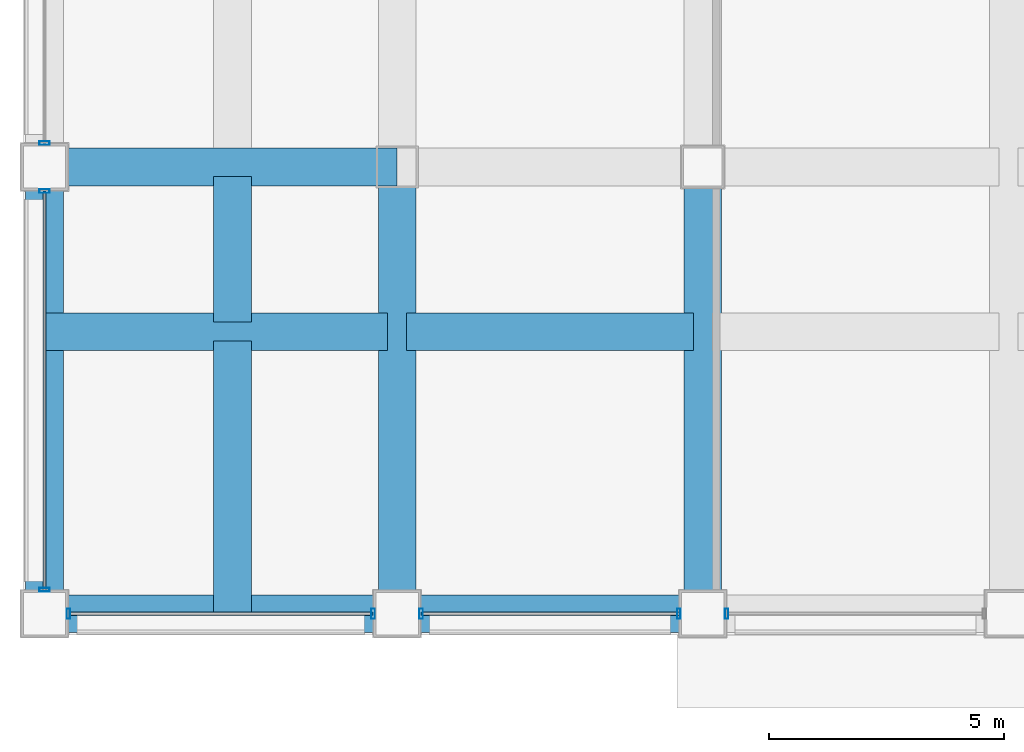
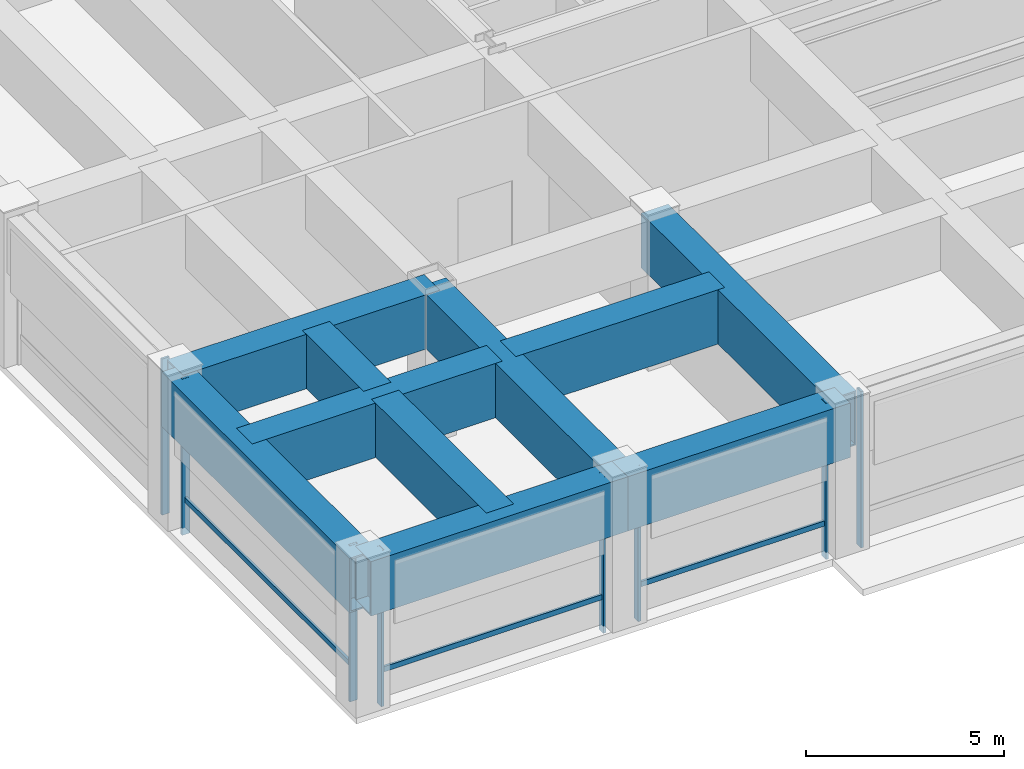
# One storey, part 2 of 30: 11 members, 10 beams, 5 elements without a shape of their own.
"""IFC4 building model written with IfcOpenShell, lengths in metres."""

from ifc_helpers import new_model, si_unit, direction, frame, origin, origin_2d, place, context, subcontext, project, spatial, hollow_rectangle, extrude, material, layer, layer_set, material_profile, profile_set, type_object, element, aggregate, save


model = new_model("IFC4")

# Units and contexts
model_context = context("Model", 3, precision=1e-05, world=origin(), true_north=direction((0.0, 1.0)))
body_context = subcontext(model_context, "Body", "Model", "MODEL_VIEW")
ifc_project = project(units=[si_unit("LENGTHUNIT", "METRE"), si_unit("AREAUNIT", "SQUARE_METRE"), si_unit("VOLUMEUNIT", "CUBIC_METRE"), si_unit("PLANEANGLEUNIT", "RADIAN"), si_unit("MASSUNIT", "GRAM", prefix="KILO")], contexts=[model_context])

# Site, building, storey
site_placement = place(None, origin())
site = spatial("IfcSite", under=ifc_project, at=site_placement, CompositionType="ELEMENT")
building_placement = place(site_placement, origin())
building = spatial("IfcBuilding", under=site, at=building_placement, Name="Brelmoor Portico Tower", CompositionType="ELEMENT")
storey_placement = place(building_placement, frame((0.0, 0.0, 19.199951171875)))
storey = spatial("IfcBuildingStorey", under=building, at=storey_placement, Name="L04", CompositionType="ELEMENT", Elevation=19.199951171875)

# Beams
ifc_material_1 = material(Name="Steel Q355B", Category="steel")
ifc_material_profile_1 = material_profile(ifc_material_1, hollow_rectangle(XDim=0.800048828125, YDim=1.679931640625, WallThickness=0.044921875, at=origin_2d()), Name="BOX 800x1680x45")
ifc_profile_set_1 = profile_set([ifc_material_profile_1], Name="Steel Q355B")
beam_type = type_object("IfcBeamType", Name="BM-TG-Z1", PredefinedType="BEAM", material=ifc_profile_set_1)
beam_1_placement = place(storey_placement, frame((-28.550048828125, -27.550048828125, 3.760009765625), z_axis=(1.0, 0.0, 0.0), x_axis=(0.0, 1.0, 0.0)))
element("IfcBeam", 1, at=beam_1_placement, inside=storey, type_object=beam_type, Name="L04 Perimeter Transfer Beam SP-01", PredefinedType="BEAM", context=body_context, shape_type="SweptSolid", body=[
    extrude(hollow_rectangle(XDim=0.800048828125, YDim=1.679931640625, WallThickness=0.044921875, at=origin_2d()), origin(), (0.0, 0.0, 1.0), 7.5),
])
beam_2_placement = place(storey_placement, frame((-21.050048828125, -27.550048828125, 3.760009765625), z_axis=(1.0, 0.0, 0.0), x_axis=(0.0, 1.0, 0.0)))
element("IfcBeam", 2, at=beam_2_placement, inside=storey, type_object=beam_type, Name="L04 Perimeter Transfer Beam SP-02", PredefinedType="BEAM", context=body_context, shape_type="SweptSolid", body=[
    extrude(hollow_rectangle(XDim=0.800048828125, YDim=1.679931640625, WallThickness=0.044921875, at=origin_2d()), origin(), (0.0, 0.0, 1.0), 6.5),
])
for number, where, z_axis, x_axis, name in (
    (3, (-28.550048828125, -27.550048828125, 3.760009765625), (0.0, 1.0, 0.0), (-1.0, 0.0, 0.0), "L04 Perimeter Transfer Beam SP-15"),
    (4, (-21.050048828125, -27.550048828125, 3.760009765625), (0.0, 1.0, 0.0), (-1.0, 0.0, 0.0), "L04 Setback Transfer Girder PG-01"),
    (5, (-14.550048828125, -27.550048828125, 3.760009765625), (0.0, 1.0, 0.0), (-1.0, 0.0, 0.0), "L04 Setback Transfer Girder PG-03"),
):
    element("IfcBeam", number, at=place(storey_placement, frame(where, z_axis=z_axis, x_axis=x_axis)), inside=storey, type_object=beam_type, Name=name, PredefinedType="BEAM", context=body_context, shape_type="SweptSolid", body=[
        extrude(hollow_rectangle(XDim=0.800048828125, YDim=1.679931640625, WallThickness=0.044921875, at=origin_2d()), origin(), (0.0, 0.0, 1.0), 9.5),
    ])
beam_3_placement = place(storey_placement, frame((-28.550048828125, -18.050048828125, 3.760009765625), z_axis=(1.0, 0.0, 0.0), x_axis=(0.0, 1.0, 0.0)))
element("IfcBeam", 6, at=beam_3_placement, inside=storey, type_object=beam_type, Name="L04 Setback Transfer Girder PG-21", PredefinedType="BEAM", context=body_context, shape_type="SweptSolid", body=[
    extrude(hollow_rectangle(XDim=0.800048828125, YDim=1.679931640625, WallThickness=0.044921875, at=origin_2d()), origin(), (0.0, 0.0, 1.0), 7.5),
])
beam_4_placement = place(storey_placement, frame((-28.550048828125, -21.550048828125, 3.760009765625), z_axis=(1.0, 0.0, 0.0), x_axis=(0.0, 1.0, 0.0)))
element("IfcBeam", 7, at=beam_4_placement, inside=storey, type_object=beam_type, Name="L04 Setback Transfer Girder TGN-01", PredefinedType="BEAM", context=body_context, shape_type="SweptSolid", body=[
    extrude(hollow_rectangle(XDim=0.800048828125, YDim=1.679931640625, WallThickness=0.044921875, at=origin_2d()), origin(), (0.0, 0.0, 1.0), 7.300048828125),
])
beam_5_placement = place(storey_placement, frame((-20.85009765625, -21.550048828125, 3.760009765625), z_axis=(1.0, 0.0, 0.0), x_axis=(0.0, 1.0, 0.0)))
element("IfcBeam", 8, at=beam_5_placement, inside=storey, type_object=beam_type, Name="L04 Setback Transfer Girder TGN-02", PredefinedType="BEAM", context=body_context, shape_type="SweptSolid", body=[
    extrude(hollow_rectangle(XDim=0.800048828125, YDim=1.679931640625, WallThickness=0.044921875, at=origin_2d()), origin(), (0.0, 0.0, 1.0), 6.10009765625),
])
beam_6_placement = place(storey_placement, frame((-24.550048828125, -27.550048828125, 3.760009765625), z_axis=(0.0, 1.0, 0.0), x_axis=(-1.0, 0.0, 0.0)))
element("IfcBeam", 9, at=beam_6_placement, inside=storey, type_object=beam_type, Name="L04 Setback Transfer Girder TGN-39", PredefinedType="BEAM", context=body_context, shape_type="SweptSolid", body=[
    extrude(hollow_rectangle(XDim=0.800048828125, YDim=1.679931640625, WallThickness=0.044921875, at=origin_2d()), origin(), (0.0, 0.0, 1.0), 5.800048828125),
])
beam_7_placement = place(storey_placement, frame((-24.550048828125, -21.35009765625, 3.760009765625), z_axis=(0.0, 1.0, 0.0), x_axis=(-1.0, 0.0, 0.0)))
element("IfcBeam", 10, at=beam_7_placement, inside=storey, type_object=beam_type, Name="L04 Setback Transfer Girder TGN-40", PredefinedType="BEAM", context=body_context, shape_type="SweptSolid", body=[
    extrude(hollow_rectangle(XDim=0.800048828125, YDim=1.679931640625, WallThickness=0.044921875, at=origin_2d()), origin(), (0.0, 0.0, 1.0), 3.10009765625),
])

# Curtain wall, members
ifc_material_2 = material(Name="Anodised Aluminium Alloy 6063-T6", Category="aluminium")
ifc_layer = layer(ifc_material_2, 0.179931640625)
ifc_layer_set = layer_set([ifc_layer], Name="Anodised Aluminium Alloy 6063-T6")
curtain_wall_type = type_object("IfcCurtainWallType", Name="CW-PODIUM-ARCH", PredefinedType="NOTDEFINED", material=ifc_layer_set)
curtain_wall_1_placement = place(storey_placement, origin())
curtain_wall_1 = element("IfcCurtainWall", 11, at=curtain_wall_1_placement, inside=storey, type_object=curtain_wall_type, Name="L04 Curtain Wall CW-L04-01-1", PredefinedType="NOTDEFINED")
ifc_material_profile_2 = material_profile(ifc_material_2, hollow_rectangle(XDim=0.074951171875, YDim=0.219970703125, WallThickness=0.0048828125, at=origin_2d()), Name="ALU MULLION 75x220")
ifc_profile_set_2 = profile_set([ifc_material_profile_2], Name="Anodised Aluminium Alloy 6063-T6")
member_type_1 = type_object("IfcMemberType", Name="MB-CW-MULL-220", PredefinedType="MULLION", material=ifc_profile_set_2)
member_1_placement = place(storey_placement, frame((-28.0400390625, -27.550048828125, -0.219970703125), z_axis=(0.0, 0.0, 1.0), x_axis=(1.0, 0.0, 0.0)))
member_1 = element("IfcMember", 12, at=member_1_placement, type_object=member_type_1, Name="CW-L04-01-1 Mullion 00", PredefinedType="MULLION", context=body_context, shape_type="SweptSolid", body=[
    extrude(hollow_rectangle(XDim=0.074951171875, YDim=0.219970703125, WallThickness=0.0048828125, at=origin_2d()), origin(), (0.0, 0.0, 1.0), 4.820068359375),
])
member_2_placement = place(storey_placement, frame((-21.56005859375, -27.550048828125, -0.219970703125), z_axis=(0.0, 0.0, 1.0), x_axis=(1.0, 0.0, 0.0)))
member_2 = element("IfcMember", 13, at=member_2_placement, type_object=member_type_1, Name="CW-L04-01-1 Mullion 01", PredefinedType="MULLION", context=body_context, shape_type="SweptSolid", body=[
    extrude(hollow_rectangle(XDim=0.074951171875, YDim=0.219970703125, WallThickness=0.0048828125, at=origin_2d()), origin(), (0.0, 0.0, 1.0), 4.820068359375),
])

curtain_wall_2_placement = place(storey_placement, origin())
curtain_wall_2 = element("IfcCurtainWall", 14, at=curtain_wall_2_placement, inside=storey, type_object=curtain_wall_type, Name="L04 Curtain Wall CW-L04-01-2", PredefinedType="NOTDEFINED")
member_3_placement = place(storey_placement, frame((-20.5400390625, -27.550048828125, -0.219970703125), z_axis=(0.0, 0.0, 1.0), x_axis=(1.0, 0.0, 0.0)))
member_3 = element("IfcMember", 15, at=member_3_placement, type_object=member_type_1, Name="CW-L04-01-2 Mullion 00", PredefinedType="MULLION", context=body_context, shape_type="SweptSolid", body=[
    extrude(hollow_rectangle(XDim=0.074951171875, YDim=0.219970703125, WallThickness=0.0048828125, at=origin_2d()), origin(), (0.0, 0.0, 1.0), 4.820068359375),
])
member_4_placement = place(storey_placement, frame((-15.06005859375, -27.550048828125, -0.219970703125), z_axis=(0.0, 0.0, 1.0), x_axis=(1.0, 0.0, 0.0)))
member_4 = element("IfcMember", 16, at=member_4_placement, type_object=member_type_1, Name="CW-L04-01-2 Mullion 01", PredefinedType="MULLION", context=body_context, shape_type="SweptSolid", body=[
    extrude(hollow_rectangle(XDim=0.074951171875, YDim=0.219970703125, WallThickness=0.0048828125, at=origin_2d()), origin(), (0.0, 0.0, 1.0), 4.820068359375),
])

# Curtain wall, member
curtain_wall_3_placement = place(storey_placement, origin())
curtain_wall_3 = element("IfcCurtainWall", 17, at=curtain_wall_3_placement, inside=storey, type_object=curtain_wall_type, Name="L04 Curtain Wall CW-L04-01-3", PredefinedType="NOTDEFINED")
member_5_placement = place(storey_placement, frame((-14.0400390625, -27.550048828125, -0.219970703125), z_axis=(0.0, 0.0, 1.0), x_axis=(1.0, 0.0, 0.0)))
member_5 = element("IfcMember", 18, at=member_5_placement, type_object=member_type_1, Name="CW-L04-01-3 Mullion 00", PredefinedType="MULLION", context=body_context, shape_type="SweptSolid", body=[
    extrude(hollow_rectangle(XDim=0.074951171875, YDim=0.219970703125, WallThickness=0.0048828125, at=origin_2d()), origin(), (0.0, 0.0, 1.0), 4.820068359375),
])
aggregate(curtain_wall_3, [member_5])

# Curtain wall, members
curtain_wall_4_placement = place(storey_placement, origin())
curtain_wall_4 = element("IfcCurtainWall", 19, at=curtain_wall_4_placement, inside=storey, type_object=curtain_wall_type, Name="L04 Curtain Wall CW-L04-03-1", PredefinedType="NOTDEFINED")
member_6_placement = place(storey_placement, frame((-28.550048828125, -27.0400390625, -0.219970703125), z_axis=(0.0, 0.0, 1.0), x_axis=(0.0, 1.0, 0.0)))
member_6 = element("IfcMember", 20, at=member_6_placement, type_object=member_type_1, Name="CW-L04-03-1 Mullion 00", PredefinedType="MULLION", context=body_context, shape_type="SweptSolid", body=[
    extrude(hollow_rectangle(XDim=0.074951171875, YDim=0.219970703125, WallThickness=0.0048828125, at=origin_2d()), origin(), (0.0, 0.0, 1.0), 4.820068359375),
])
member_7_placement = place(storey_placement, frame((-28.550048828125, -18.56005859375, -0.219970703125), z_axis=(0.0, 0.0, 1.0), x_axis=(0.0, 1.0, 0.0)))
member_7 = element("IfcMember", 21, at=member_7_placement, type_object=member_type_1, Name="CW-L04-03-1 Mullion 01", PredefinedType="MULLION", context=body_context, shape_type="SweptSolid", body=[
    extrude(hollow_rectangle(XDim=0.074951171875, YDim=0.219970703125, WallThickness=0.0048828125, at=origin_2d()), origin(), (0.0, 0.0, 1.0), 4.820068359375),
])

# Curtain wall, member
curtain_wall_5_placement = place(storey_placement, origin())
curtain_wall_5 = element("IfcCurtainWall", 22, at=curtain_wall_5_placement, inside=storey, type_object=curtain_wall_type, Name="L04 Curtain Wall CW-L04-03-2", PredefinedType="NOTDEFINED")
member_8_placement = place(storey_placement, frame((-28.550048828125, -17.5400390625, -0.219970703125), z_axis=(0.0, 0.0, 1.0), x_axis=(0.0, 1.0, 0.0)))
member_8 = element("IfcMember", 23, at=member_8_placement, type_object=member_type_1, Name="CW-L04-03-2 Mullion 00", PredefinedType="MULLION", context=body_context, shape_type="SweptSolid", body=[
    extrude(hollow_rectangle(XDim=0.074951171875, YDim=0.219970703125, WallThickness=0.0048828125, at=origin_2d()), origin(), (0.0, 0.0, 1.0), 4.820068359375),
])
aggregate(curtain_wall_5, [member_8])

# Member
ifc_material_profile_3 = material_profile(ifc_material_2, hollow_rectangle(XDim=0.070068359375, YDim=0.159912109375, WallThickness=0.00390625, at=origin_2d()), Name="ALU TRANSOM 70x160")
ifc_profile_set_3 = profile_set([ifc_material_profile_3], Name="Anodised Aluminium Alloy 6063-T6")
member_type_2 = type_object("IfcMemberType", Name="MB-CW-TRAN-160", PredefinedType="USERDEFINED", material=ifc_profile_set_3)
member_9_placement = place(storey_placement, frame((-28.0400390625, -27.550048828125, 0.85009765625), z_axis=(1.0, 0.0, 0.0), x_axis=(0.0, 1.0, 0.0)))
member_9 = element("IfcMember", 24, at=member_9_placement, type_object=member_type_2, Name="CW-L04-01-1 Transom 1-00", ObjectType="TRANSOM", PredefinedType="USERDEFINED", context=body_context, shape_type="SweptSolid", body=[
    extrude(hollow_rectangle(XDim=0.070068359375, YDim=0.159912109375, WallThickness=0.00390625, at=origin_2d()), origin(), (0.0, 0.0, 1.0), 6.47998046875),
])

aggregate(curtain_wall_1, [member_1, member_2, member_9])

member_10_placement = place(storey_placement, frame((-20.5400390625, -27.550048828125, 0.85009765625), z_axis=(1.0, 0.0, 0.0), x_axis=(0.0, 1.0, 0.0)))
member_10 = element("IfcMember", 25, at=member_10_placement, type_object=member_type_2, Name="CW-L04-01-2 Transom 1-00", ObjectType="TRANSOM", PredefinedType="USERDEFINED", context=body_context, shape_type="SweptSolid", body=[
    extrude(hollow_rectangle(XDim=0.070068359375, YDim=0.159912109375, WallThickness=0.00390625, at=origin_2d()), origin(), (0.0, 0.0, 1.0), 5.47998046875),
])

aggregate(curtain_wall_2, [member_3, member_4, member_10])

member_11_placement = place(storey_placement, frame((-28.550048828125, -27.0400390625, 0.85009765625), z_axis=(0.0, 1.0, 0.0), x_axis=(-1.0, 0.0, 0.0)))
member_11 = element("IfcMember", 26, at=member_11_placement, type_object=member_type_2, Name="CW-L04-03-1 Transom 1-00", ObjectType="TRANSOM", PredefinedType="USERDEFINED", context=body_context, shape_type="SweptSolid", body=[
    extrude(hollow_rectangle(XDim=0.070068359375, YDim=0.159912109375, WallThickness=0.00390625, at=origin_2d()), origin(), (0.0, 0.0, 1.0), 8.47998046875),
])

aggregate(curtain_wall_4, [member_6, member_7, member_11])

save(model, "model.ifc")
